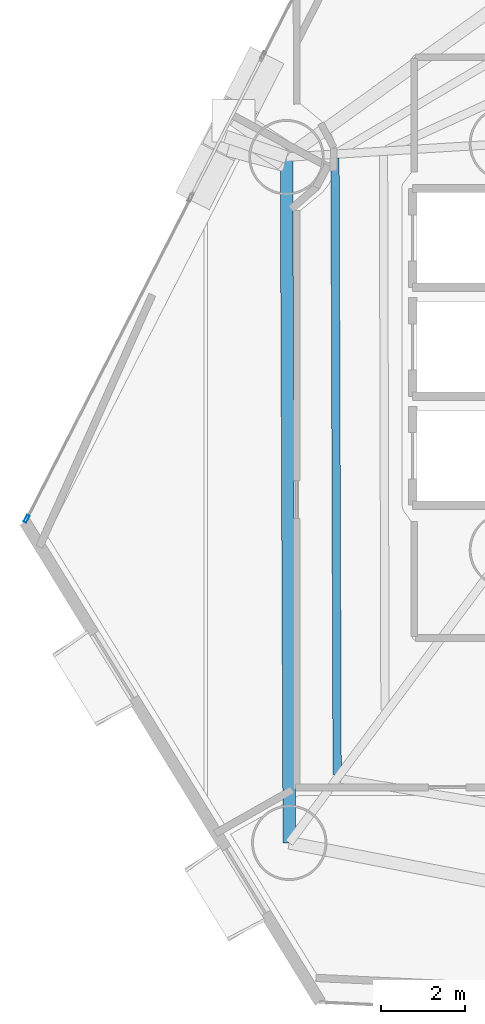
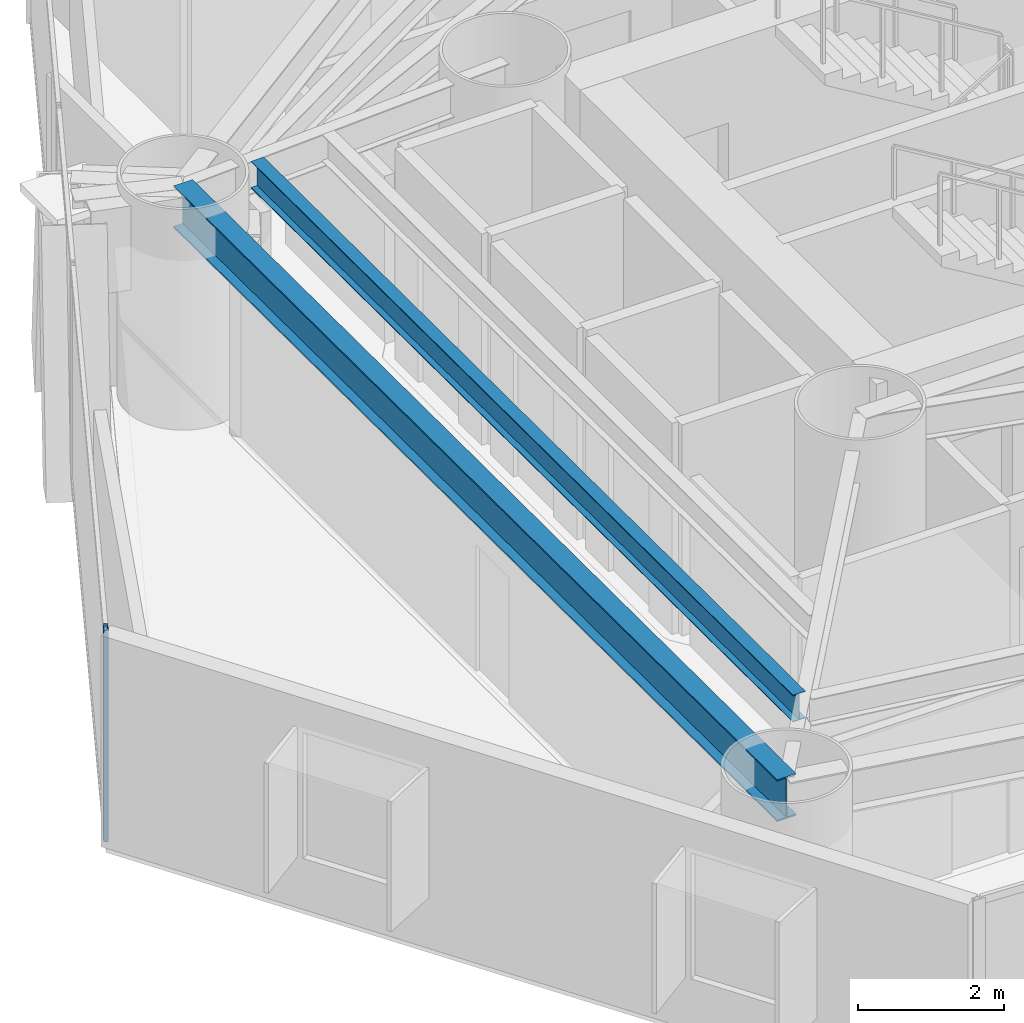
# One storey, part 3 of 23: 2 beams, 1 member, 1 element without a shape of its own.
"""IFC4 building model written with IfcOpenShell, lengths in metres."""

from ifc_helpers import new_model, si_unit, direction, frame, origin, origin_2d, place, context, subcontext, project, spatial, hollow_rectangle, i_section, extrude, material, layer, layer_set, material_profile, profile_set, type_object, element, aggregate, save


model = new_model("IFC4")

# Units and contexts
model_context = context("Model", 3, precision=1e-05, world=origin(), true_north=direction((0.0, 1.0)))
body_context = subcontext(model_context, "Body", "Model", "MODEL_VIEW")
ifc_project = project(units=[si_unit("LENGTHUNIT", "METRE"), si_unit("AREAUNIT", "SQUARE_METRE"), si_unit("VOLUMEUNIT", "CUBIC_METRE"), si_unit("PLANEANGLEUNIT", "RADIAN"), si_unit("MASSUNIT", "GRAM", prefix="KILO")], contexts=[model_context])

# Site, building, storey
site_placement = place(None, origin())
site = spatial("IfcSite", under=ifc_project, at=site_placement, CompositionType="ELEMENT")
building_placement = place(site_placement, origin())
building = spatial("IfcBuilding", under=site, at=building_placement, Name="Qianvela Tower", CompositionType="ELEMENT")
storey_placement = place(building_placement, frame((0.0, 0.0, 36.800048828125)))
storey = spatial("IfcBuildingStorey", under=building, at=storey_placement, Name="L08", CompositionType="ELEMENT", Elevation=36.800048828125)

# Beams
ifc_material_1 = material(Name="Steel Q355B", Category="steel")
ifc_material_profile_1 = material_profile(ifc_material_1, i_section(OverallWidth=0.199951171875, OverallDepth=0.449951171875, WebThickness=0.009033203125, FlangeThickness=0.013916015625, at=origin_2d()), Name="HN450x200x9x14")
ifc_profile_set_1 = profile_set([ifc_material_profile_1], Name="Steel Q355B")
beam_type_1 = type_object("IfcBeamType", Name="BM-HN450-JOIST", PredefinedType="JOIST", material=ifc_profile_set_1)
beam_1_placement = place(storey_placement, frame((24.49609375, 33.202880859375, 3.29296875), z_axis=(0.003452376186, -0.999994040532, 0.0), x_axis=(0.999994040532, 0.003452376186, 0.0)))
element("IfcBeam", 1, at=beam_1_placement, inside=storey, type_object=beam_type_1, Name="L08 Secondary Composite Floor Joist 4.3", PredefinedType="JOIST", context=body_context, shape_type="SweptSolid", body=[
    extrude(i_section(OverallWidth=0.199951171875, OverallDepth=0.449951171875, WebThickness=0.009033203125, FlangeThickness=0.013916015625, at=origin_2d()), origin(), (0.0, 0.0, 1.0), 14.708984375),
])
ifc_material_2 = material(Name="Steel Q355B", Category="steel")
ifc_material_profile_2 = material_profile(ifc_material_2, i_section(OverallWidth=0.300048828125, OverallDepth=0.699951171875, WebThickness=0.012939453125, FlangeThickness=0.02392578125, at=origin_2d()), Name="HN700x300x13x24")
ifc_profile_set_2 = profile_set([ifc_material_profile_2], Name="Steel Q355B")
beam_type_2 = type_object("IfcBeamType", Name="BM-HN700-SPAND", PredefinedType="SPANDREL", material=ifc_profile_set_2)
beam_2_placement = place(storey_placement, frame((23.337890625, 33.22802734375, 3.16796875), z_axis=(0.004042148861, -0.999991830483, 0.0), x_axis=(0.999991830483, 0.004042148861, 0.0)))
element("IfcBeam", 2, at=beam_2_placement, inside=storey, type_object=beam_type_2, Name="L08 Perimeter Ring Spandrel Girder 4", PredefinedType="SPANDREL", context=body_context, shape_type="SweptSolid", body=[
    extrude(i_section(OverallWidth=0.300048828125, OverallDepth=0.699951171875, WebThickness=0.012939453125, FlangeThickness=0.02392578125, at=origin_2d()), origin(), (0.0, 0.0, 1.0), 16.3681640625),
])

# Curtain wall, member
ifc_material_3 = material(Name="Anodised Architectural Aluminium and Low-E Glass", Category="aluminium")
ifc_layer = layer(ifc_material_3, 0.179931640625)
ifc_layer_set = layer_set([ifc_layer], Name="Anodised Architectural Aluminium and Low-E Glass")
curtain_wall_type = type_object("IfcCurtainWallType", Name="CW-COLIV-Z12", PredefinedType="USERDEFINED", material=ifc_layer_set)
curtain_wall_placement = place(storey_placement, origin())
curtain_wall = element("IfcCurtainWall", 3, at=curtain_wall_placement, inside=storey, type_object=curtain_wall_type, Name="L08 CW-COLIV-Z12 Curtain Wall 04C", ObjectType="CURTAIN_WALL_SYSTEM", PredefinedType="USERDEFINED")
ifc_material_4 = material(Name="Anodised Architectural Aluminium 6063-T6", Category="aluminium")
ifc_material_profile_3 = material_profile(ifc_material_4, hollow_rectangle(XDim=0.070068359375, YDim=0.179931640625, WallThickness=0.0048828125, at=origin_2d()), Name="ALU-MULL-70x180")
ifc_profile_set_3 = profile_set([ifc_material_profile_3], Name="Anodised Architectural Aluminium 6063-T6")
member_type = type_object("IfcMemberType", Name="CW-COLIV-Z12-MULL", PredefinedType="MULLION", material=ifc_profile_set_3)
member_placement = place(storey_placement, frame((17.13427734375, 24.59423828125, 0.0), z_axis=(0.0, 0.0, 1.0), x_axis=(0.890685350863, -0.454620287448, 0.0)))
member = element("IfcMember", 4, at=member_placement, type_object=member_type, Name="CW-3 mullion 2", PredefinedType="MULLION", context=body_context, shape_type="SweptSolid", body=[
    extrude(hollow_rectangle(XDim=0.070068359375, YDim=0.179931640625, WallThickness=0.0048828125, at=origin_2d()), origin(), (0.0, 0.0, 1.0), 3.52001953125),
])
aggregate(curtain_wall, [member])

save(model, "model.ifc")
